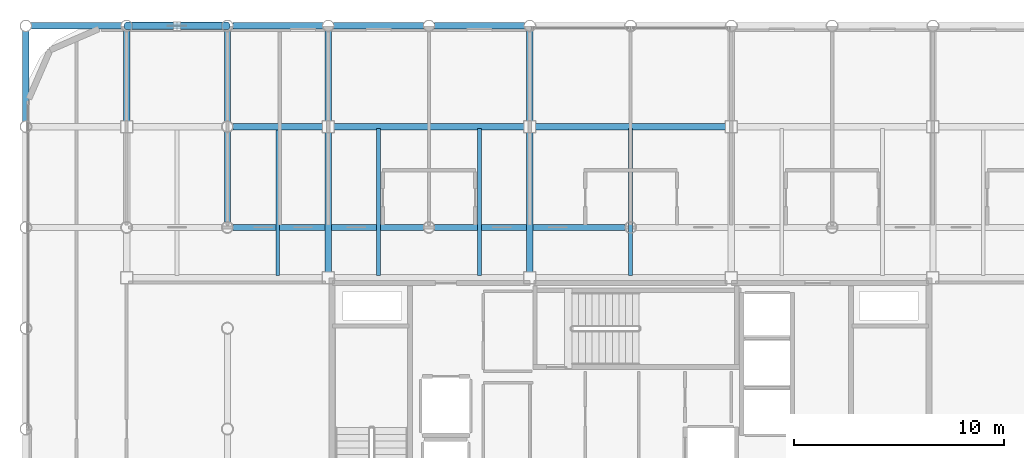
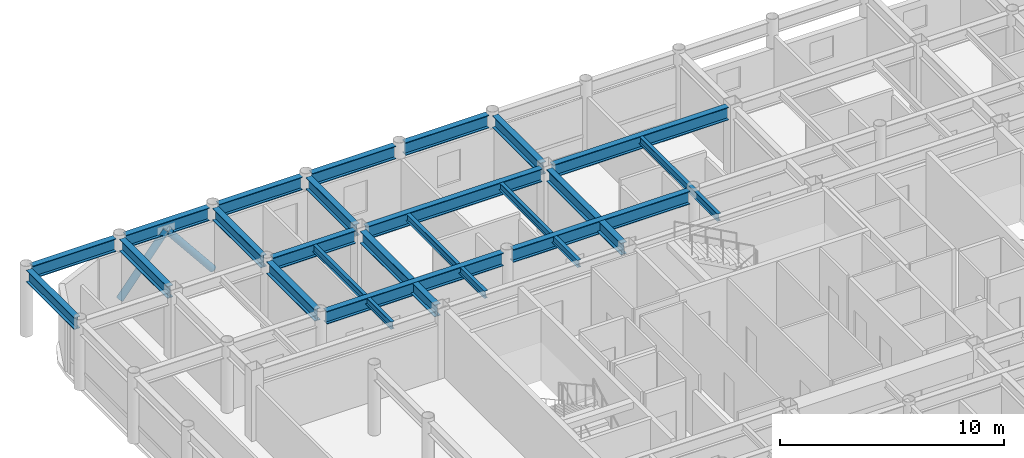
# One storey, part 12 of 22: 22 beams, 2 members.
"""IFC4 building model written with IfcOpenShell, lengths in metres."""

from ifc_helpers import new_model, si_unit, direction, frame, origin, origin_2d, place, context, subcontext, project, spatial, hollow_circle, i_section, extrude, material, material_profile, profile_set, type_object, element, save


model = new_model("IFC4")

# Units and contexts
model_context = context("Model", 3, precision=1e-05, world=origin(), true_north=direction((0.0, 1.0)))
body_context = subcontext(model_context, "Body", "Model", "MODEL_VIEW")
ifc_project = project(units=[si_unit("LENGTHUNIT", "METRE"), si_unit("AREAUNIT", "SQUARE_METRE"), si_unit("VOLUMEUNIT", "CUBIC_METRE"), si_unit("PLANEANGLEUNIT", "RADIAN"), si_unit("MASSUNIT", "GRAM", prefix="KILO")], contexts=[model_context])

# Site, building, storey
site_placement = place(None, origin())
site = spatial("IfcSite", under=ifc_project, at=site_placement, CompositionType="ELEMENT")
building_placement = place(site_placement, origin())
building = spatial("IfcBuilding", under=site, at=building_placement, Name="Kallvorn Hotel Tower", CompositionType="ELEMENT")
storey_placement = place(building_placement, frame((0.0, 0.0, 199.199951171875)))
storey = spatial("IfcBuildingStorey", under=building, at=storey_placement, Name="L49", CompositionType="ELEMENT", Elevation=199.199951171875)

# Beams
ifc_material_1 = material(Name="Structural steel S355JR", Category="steel")
ifc_material_profile_1 = material_profile(ifc_material_1, i_section(OverallWidth=0.300048828125, OverallDepth=0.64990234375, WebThickness=0.01611328125, FlangeThickness=0.031005859375, at=origin_2d()), Name="HE 650 B")
ifc_profile_set_1 = profile_set([ifc_material_profile_1], Name="Structural steel S355JR")
beam_type_1 = type_object("IfcBeamType", Name="BM_HE650B", PredefinedType="BEAM", material=ifc_profile_set_1)
beam_1_placement = place(storey_placement, frame((-28.800048828125, 14.654541015625, 3.344970703125), z_axis=(0.0, 1.0, 0.0), x_axis=(-1.0, 0.0, 0.0)))
element("IfcBeam", 1, at=beam_1_placement, inside=storey, type_object=beam_type_1, Name="L50 Primary Y-Girder 80", PredefinedType="BEAM", context=body_context, shape_type="SweptSolid", body=[
    extrude(i_section(OverallWidth=0.300048828125, OverallDepth=0.64990234375, WebThickness=0.01611328125, FlangeThickness=0.031005859375, at=origin_2d()), origin(), (0.0, 0.0, 1.0), 4.291015625),
])
beam_2_placement = place(storey_placement, frame((-24.0, 14.675048828125, 3.344970703125), z_axis=(0.0, 1.0, 0.0), x_axis=(-1.0, 0.0, 0.0)))
element("IfcBeam", 2, at=beam_2_placement, inside=storey, type_object=beam_type_1, Name="L50 Primary Y-Girder 87", PredefinedType="BEAM", context=body_context, shape_type="SweptSolid", body=[
    extrude(i_section(OverallWidth=0.300048828125, OverallDepth=0.64990234375, WebThickness=0.01611328125, FlangeThickness=0.031005859375, at=origin_2d()), origin(), (0.0, 0.0, 1.0), 4.2705078125),
])
for number, where, z_axis, x_axis, name in (
    (3, (-19.199951171875, 9.8544921875, 3.344970703125), (0.0, 1.0, 0.0), (-1.0, 0.0, 0.0), "L50 Primary Y-Girder 95"),
    (4, (-19.199951171875, 14.654541015625, 3.344970703125), (0.0, 1.0, 0.0), (-1.0, 0.0, 0.0), "L50 Primary Y-Girder 96"),
):
    element("IfcBeam", number, at=place(storey_placement, frame(where, z_axis=z_axis, x_axis=x_axis)), inside=storey, type_object=beam_type_1, Name=name, PredefinedType="BEAM", context=body_context, shape_type="SweptSolid", body=[
        extrude(i_section(OverallWidth=0.300048828125, OverallDepth=0.64990234375, WebThickness=0.01611328125, FlangeThickness=0.031005859375, at=origin_2d()), origin(), (0.0, 0.0, 1.0), 4.291015625),
    ])
beam_3_placement = place(storey_placement, frame((-14.39990234375, 7.47509765625, 3.344970703125), z_axis=(0.0, 1.0, 0.0), x_axis=(-1.0, 0.0, 0.0)))
element("IfcBeam", 5, at=beam_3_placement, inside=storey, type_object=beam_type_1, Name="L50 Primary Y-Girder 100", PredefinedType="BEAM", context=body_context, shape_type="SweptSolid", body=[
    extrude(i_section(OverallWidth=0.300048828125, OverallDepth=0.64990234375, WebThickness=0.01611328125, FlangeThickness=0.031005859375, at=origin_2d()), origin(), (0.0, 0.0, 1.0), 6.64990234375),
])
beam_4_placement = place(storey_placement, frame((-14.39990234375, 14.675048828125, 3.344970703125), z_axis=(0.0, 1.0, 0.0), x_axis=(-1.0, 0.0, 0.0)))
element("IfcBeam", 6, at=beam_4_placement, inside=storey, type_object=beam_type_1, Name="L50 Primary Y-Girder 101", PredefinedType="BEAM", context=body_context, shape_type="SweptSolid", body=[
    extrude(i_section(OverallWidth=0.300048828125, OverallDepth=0.64990234375, WebThickness=0.01611328125, FlangeThickness=0.031005859375, at=origin_2d()), origin(), (0.0, 0.0, 1.0), 4.2705078125),
])
beam_5_placement = place(storey_placement, frame((-4.800048828125, 7.47509765625, 3.344970703125), z_axis=(0.0, 1.0, 0.0), x_axis=(-1.0, 0.0, 0.0)))
element("IfcBeam", 7, at=beam_5_placement, inside=storey, type_object=beam_type_1, Name="L50 Primary Y-Girder 108", PredefinedType="BEAM", context=body_context, shape_type="SweptSolid", body=[
    extrude(i_section(OverallWidth=0.300048828125, OverallDepth=0.64990234375, WebThickness=0.01611328125, FlangeThickness=0.031005859375, at=origin_2d()), origin(), (0.0, 0.0, 1.0), 6.64990234375),
])
beam_6_placement = place(storey_placement, frame((-4.800048828125, 14.675048828125, 3.344970703125), z_axis=(0.0, 1.0, 0.0), x_axis=(-1.0, 0.0, 0.0)))
element("IfcBeam", 8, at=beam_6_placement, inside=storey, type_object=beam_type_1, Name="L50 Primary Y-Girder 109", PredefinedType="BEAM", context=body_context, shape_type="SweptSolid", body=[
    extrude(i_section(OverallWidth=0.300048828125, OverallDepth=0.64990234375, WebThickness=0.01611328125, FlangeThickness=0.031005859375, at=origin_2d()), origin(), (0.0, 0.0, 1.0), 4.2705078125),
])
ifc_material_2 = material(Name="Structural steel S355JR", Category="steel")
ifc_material_profile_2 = material_profile(ifc_material_2, i_section(OverallWidth=0.300048828125, OverallDepth=0.699951171875, WebThickness=0.01708984375, FlangeThickness=0.031982421875, at=origin_2d()), Name="HE 700 B")
ifc_profile_set_2 = profile_set([ifc_material_profile_2], Name="Structural steel S355JR")
beam_type_2 = type_object("IfcBeamType", Name="BM_HE700B", PredefinedType="BEAM", material=ifc_profile_set_2)
for number, where, z_axis, x_axis, name in (
    (9, (-18.945556640625, 9.60009765625, 3.320068359375), (1.0, 0.0, 0.0), (0.0, 1.0, 0.0), "L50 Primary X-Girder 44"),
    (10, (-9.345458984375, 9.60009765625, 3.320068359375), (1.0, 0.0, 0.0), (0.0, 1.0, 0.0), "L50 Primary X-Girder 45"),
):
    element("IfcBeam", number, at=place(storey_placement, frame(where, z_axis=z_axis, x_axis=x_axis)), inside=storey, type_object=beam_type_2, Name=name, PredefinedType="BEAM", context=body_context, shape_type="SweptSolid", body=[
        extrude(i_section(OverallWidth=0.300048828125, OverallDepth=0.699951171875, WebThickness=0.01708984375, FlangeThickness=0.031982421875, at=origin_2d()), origin(), (0.0, 0.0, 1.0), 9.091064453125),
    ])
beam_7_placement = place(storey_placement, frame((-18.945556640625, 14.39990234375, 3.320068359375), z_axis=(1.0, 0.0, 0.0), x_axis=(0.0, 1.0, 0.0)))
element("IfcBeam", 11, at=beam_7_placement, inside=storey, type_object=beam_type_2, Name="L50 Primary X-Girder 53", PredefinedType="BEAM", context=body_context, shape_type="SweptSolid", body=[
    extrude(i_section(OverallWidth=0.300048828125, OverallDepth=0.699951171875, WebThickness=0.01708984375, FlangeThickness=0.031982421875, at=origin_2d()), origin(), (0.0, 0.0, 1.0), 4.2705078125),
])
beam_8_placement = place(storey_placement, frame((-14.125, 14.39990234375, 3.320068359375), z_axis=(1.0, 0.0, 0.0), x_axis=(0.0, 1.0, 0.0)))
element("IfcBeam", 12, at=beam_8_placement, inside=storey, type_object=beam_type_2, Name="L50 Primary X-Girder 54", PredefinedType="BEAM", context=body_context, shape_type="SweptSolid", body=[
    extrude(i_section(OverallWidth=0.300048828125, OverallDepth=0.699951171875, WebThickness=0.01708984375, FlangeThickness=0.031982421875, at=origin_2d()), origin(), (0.0, 0.0, 1.0), 9.050048828125),
])
beam_9_placement = place(storey_placement, frame((-4.52490234375, 14.39990234375, 3.320068359375), z_axis=(1.0, 0.0, 0.0), x_axis=(0.0, 1.0, 0.0)))
element("IfcBeam", 13, at=beam_9_placement, inside=storey, type_object=beam_type_2, Name="L50 Primary X-Girder 55", PredefinedType="BEAM", context=body_context, shape_type="SweptSolid", body=[
    extrude(i_section(OverallWidth=0.300048828125, OverallDepth=0.699951171875, WebThickness=0.01708984375, FlangeThickness=0.031982421875, at=origin_2d()), origin(), (0.0, 0.0, 1.0), 9.0498046875),
])
for number, where, z_axis, x_axis, name in (
    (14, (-28.54541015625, 19.199951171875, 3.320068359375), (1.0, 0.0, 0.0), (0.0, 1.0, 0.0), "L50 Primary X-Girder 61"),
    (15, (-23.74560546875, 19.199951171875, 3.320068359375), (1.0, 0.0, 0.0), (0.0, 1.0, 0.0), "L50 Primary X-Girder 62"),
    (16, (-18.945556640625, 19.199951171875, 3.320068359375), (1.0, 0.0, 0.0), (0.0, 1.0, 0.0), "L50 Primary X-Girder 63"),
    (17, (-14.1455078125, 19.199951171875, 3.320068359375), (1.0, 0.0, 0.0), (0.0, 1.0, 0.0), "L50 Primary X-Girder 64"),
    (18, (-9.345458984375, 19.199951171875, 3.320068359375), (1.0, 0.0, 0.0), (0.0, 1.0, 0.0), "L50 Primary X-Girder 65"),
):
    element("IfcBeam", number, at=place(storey_placement, frame(where, z_axis=z_axis, x_axis=x_axis)), inside=storey, type_object=beam_type_2, Name=name, PredefinedType="BEAM", context=body_context, shape_type="SweptSolid", body=[
        extrude(i_section(OverallWidth=0.300048828125, OverallDepth=0.699951171875, WebThickness=0.01708984375, FlangeThickness=0.031982421875, at=origin_2d()), origin(), (0.0, 0.0, 1.0), 4.291015625),
    ])
ifc_material_3 = material(Name="Structural steel S355JR", Category="steel")
ifc_material_profile_3 = material_profile(ifc_material_3, i_section(OverallWidth=0.179931640625, OverallDepth=0.39990234375, WebThickness=0.008544921875, FlangeThickness=0.013427734375, at=origin_2d()), Name="IPE 400")
ifc_profile_set_3 = profile_set([ifc_material_profile_3], Name="Structural steel S355JR")
beam_type_3 = type_object("IfcBeamType", Name="BM_IPE400", PredefinedType="JOIST", material=ifc_profile_set_3)
for number, where, z_axis, x_axis, name in (
    (19, (-16.800048828125, 7.300048828125, 3.469970703125), (0.0, 1.0, 0.0), (-1.0, 0.0, 0.0), "L50 Secondary Composite Joist 195"),
    (20, (-12.0, 7.300048828125, 3.469970703125), (0.0, 1.0, 0.0), (-1.0, 0.0, 0.0), "L50 Secondary Composite Joist 197"),
    (21, (-7.199951171875, 7.300048828125, 3.469970703125), (0.0, 1.0, 0.0), (-1.0, 0.0, 0.0), "L50 Secondary Composite Joist 199"),
    (22, (0.0, 7.300048828125, 3.469970703125), (0.0, 1.0, 0.0), (-1.0, 0.0, 0.0), "L50 Secondary Composite Joist 201"),
):
    element("IfcBeam", number, at=place(storey_placement, frame(where, z_axis=z_axis, x_axis=x_axis)), inside=storey, type_object=beam_type_3, Name=name, PredefinedType="JOIST", context=body_context, shape_type="SweptSolid", body=[
        extrude(i_section(OverallWidth=0.179931640625, OverallDepth=0.39990234375, WebThickness=0.008544921875, FlangeThickness=0.013427734375, at=origin_2d()), origin(), (0.0, 0.0, 1.0), 7.0),
    ])

# Members
ifc_material_4 = material(Name="Structural steel S355J2H", Category="steel")
ifc_material_profile_4 = material_profile(ifc_material_4, hollow_circle(Radius=0.177734375, WallThickness=0.01416015625, at=origin_2d()), Name="CHS 355.6x14.2")
ifc_profile_set_4 = profile_set([ifc_material_profile_4], Name="Structural steel S355J2H")
member_type = type_object("IfcMemberType", Name="MBR_EXO_CHS355", PredefinedType="BRACE", material=ifc_profile_set_4)
for number, where, z_axis, x_axis, name in (
    (23, (-23.987548828125, 19.199951171875, 0.195556640625), (0.627239379498, 0.0, 0.778826528058), (0.0, 1.0, 0.0), "L49 Exoskeleton K-Brace N1A"),
    (24, (-19.21240234375, 19.199951171875, 0.195556640625), (-0.627239379498, 0.0, 0.778826528058), (0.0, -1.0, 0.0), "L49 Exoskeleton K-Brace N1B"),
):
    element("IfcMember", number, at=place(storey_placement, frame(where, z_axis=z_axis, x_axis=x_axis)), inside=storey, type_object=member_type, Name=name, PredefinedType="BRACE", context=body_context, shape_type="SweptSolid", body=[
        extrude(hollow_circle(Radius=0.177734375, WallThickness=0.01416015625, at=origin_2d()), origin(), (0.0, 0.0, 1.0), 3.786376953125),
    ])

save(model, "model.ifc")
